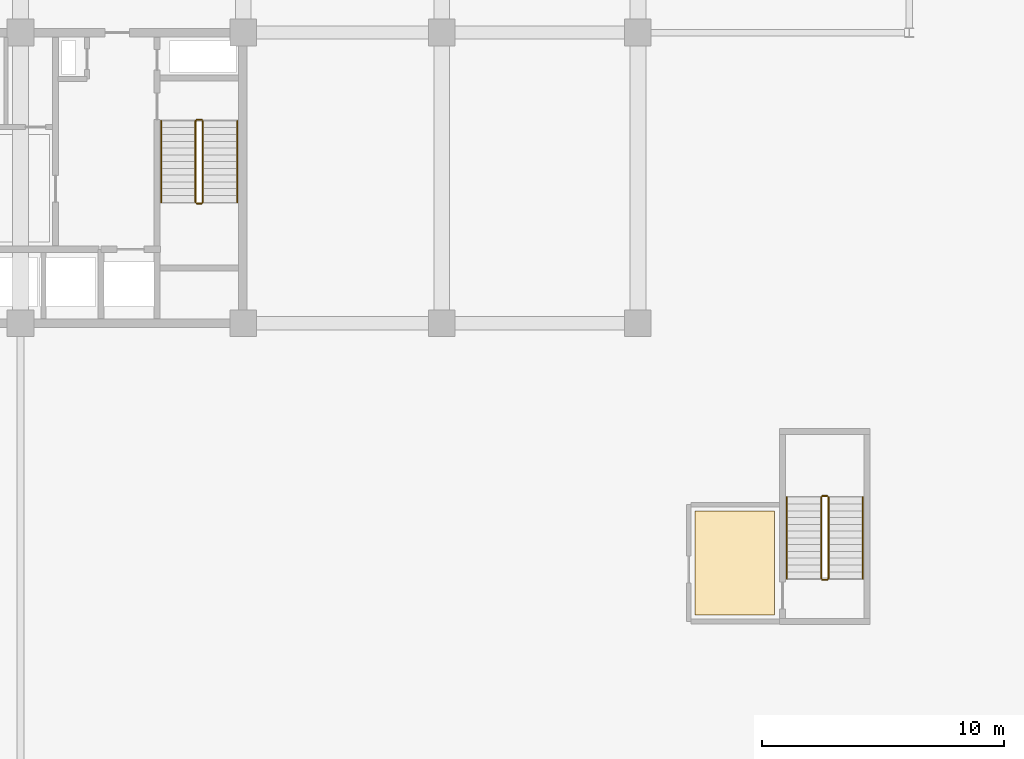
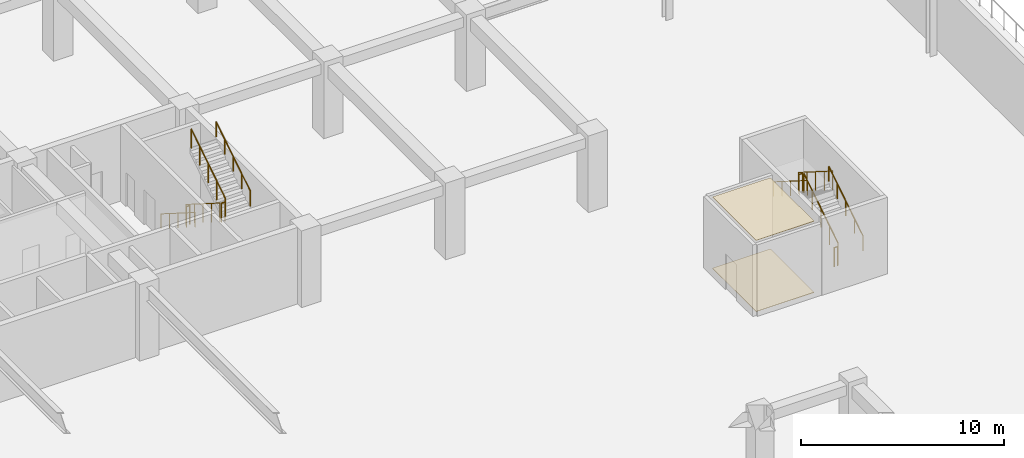
# One storey, part 42 of 45: 12 railings, 2 coverings.
"""IFC4 building model written with IfcOpenShell, lengths in metres."""

from ifc_helpers import new_model, si_unit, direction, frame, origin, origin_2d, place, context, subcontext, project, spatial, polyline, circle, outline, extrude, material, layer, layer_set, type_object, element, save


model = new_model("IFC4")

# Units and contexts
model_context = context("Model", 3, precision=1e-05, world=origin(), true_north=direction((0.0, 1.0)))
body_context = subcontext(model_context, "Body", "Model", "MODEL_VIEW")
ifc_project = project(units=[si_unit("LENGTHUNIT", "METRE"), si_unit("AREAUNIT", "SQUARE_METRE"), si_unit("VOLUMEUNIT", "CUBIC_METRE"), si_unit("PLANEANGLEUNIT", "RADIAN"), si_unit("MASSUNIT", "GRAM", prefix="KILO")], contexts=[model_context])

# Site, building, storey
site_placement = place(None, origin())
site = spatial("IfcSite", under=ifc_project, at=site_placement, CompositionType="ELEMENT")
building_placement = place(site_placement, origin())
building = spatial("IfcBuilding", under=site, at=building_placement, Name="Korimba Cascade Residences", CompositionType="ELEMENT")
storey_placement = place(building_placement, frame((0.0, 0.0, 5.39990234375)))
storey = spatial("IfcBuildingStorey", under=building, at=storey_placement, Name="L01", CompositionType="ELEMENT", Elevation=5.39990234375)

# Coverings
ifc_material_1 = material(Name="Perforated Acoustic Gypsum Ceiling", Category="gypsum")
ifc_layer_1 = layer(ifc_material_1, 0.02490234375)
ifc_layer_set_1 = layer_set([ifc_layer_1], Name="Perforated Acoustic Gypsum Ceiling")
covering_type_1 = type_object("IfcCoveringType", Name="COV-CLG-AC", PredefinedType="CEILING", material=ifc_layer_set_1)
covering_1_placement = place(storey_placement, frame((0.0, 0.0, 4.275146484375)))
element("IfcCovering", 1, at=covering_1_placement, inside=storey, type_object=covering_type_1, Name="L01 Suspended Acoustic Ceiling L01-PLE", PredefinedType="CEILING", context=body_context, shape_type="SweptSolid", body=[
    extrude(outline(polyline([(130.75, 43.14990234375), (134.050048828125, 43.14990234375), (134.050048828125, 47.449951171875), (130.75, 47.449951171875), (130.75, 43.14990234375)])), origin(), (0.0, 0.0, 1.0), 0.02490234375),
])
ifc_material_2 = material(Name="Honed Travertine Stone Flooring", Category="masonry")
ifc_layer_2 = layer(ifc_material_2, 0.02490234375)
ifc_layer_set_2 = layer_set([ifc_layer_2], Name="Honed Travertine Stone Flooring")
covering_type_2 = type_object("IfcCoveringType", Name="COV-FLR-STN", PredefinedType="FLOORING", material=ifc_layer_set_2)
covering_2_placement = place(storey_placement, origin())
element("IfcCovering", 2, at=covering_2_placement, inside=storey, type_object=covering_type_2, Name="L01 Honed Travertine Stone Flooring L01-PLE", PredefinedType="FLOORING", context=body_context, shape_type="SweptSolid", body=[
    extrude(outline(polyline([(130.75, 43.14990234375), (134.050048828125, 43.14990234375), (134.050048828125, 47.449951171875), (130.75, 47.449951171875), (130.75, 43.14990234375)])), origin(), (0.0, 0.0, 1.0), 0.025146484375),
])

# Railings
ifc_material_3 = material(Name="Painted Steel Stairwell Guardrail", Category="steel")
railing_type_1 = type_object("IfcRailingType", Name="RLG-ST-GD1150", PredefinedType="GUARDRAIL", material=ifc_material_3)
railing_1_placement = place(storey_placement, frame((110.1298828125, 63.550048828125, 0.177001953125)))
element("IfcRailing", 3, at=railing_1_placement, inside=storey, type_object=railing_type_1, Name="L01 ST-W2 stair guard 1", PredefinedType="GUARDRAIL", context=body_context, shape_type="SweptSolid", body=[
    extrude(circle(Radius=0.02392578125, at=origin_2d()), frame((0.0, 0.0, 1.1259765625), z_axis=(0.0, -0.845389635667, 0.534150132366), x_axis=(1.0, 0.0, 0.0)), (0.0, 0.0, 1.0), 3.974609375),
    extrude(circle(Radius=0.02099609375, at=origin_2d()), origin(), (0.0, 0.0, 1.0), 1.101806640625),
    extrude(circle(Radius=0.02099609375, at=origin_2d()), frame((0.0, -0.840087890625, 0.53076171875)), (0.0, 0.0, 1.0), 1.101806640625),
    extrude(circle(Radius=0.02099609375, at=origin_2d()), frame((0.0, -1.68017578125, 1.0615234375)), (0.0, 0.0, 1.0), 1.101806640625),
    extrude(circle(Radius=0.02099609375, at=origin_2d()), frame((0.0, -2.52001953125, 1.59228515625)), (0.0, 0.0, 1.0), 1.101806640625),
    extrude(circle(Radius=0.02099609375, at=origin_2d()), frame((0.0, -3.360107421875, 2.123046875)), (0.0, 0.0, 1.0), 1.101806640625),
])
railing_2_placement = place(storey_placement, frame((110.179931640625, 60.139892578125, 2.300048828125)))
element("IfcRailing", 4, at=railing_2_placement, inside=storey, type_object=railing_type_1, Name="L01 ST-W2 stair guard 2", PredefinedType="GUARDRAIL", context=body_context, shape_type="SweptSolid", body=[
    extrude(circle(Radius=0.02392578125, at=origin_2d()), frame((0.0, 0.0, 1.1259765625), z_axis=(1.0, 0.0, 0.0), x_axis=(0.0, 1.0, 0.0)), (0.0, 0.0, 1.0), 0.199951171875),
    extrude(circle(Radius=0.02099609375, at=origin_2d()), origin(), (0.0, 0.0, 1.0), 1.101806640625),
    extrude(circle(Radius=0.02099609375, at=origin_2d()), frame((0.199951171875, 0.0, 0.0)), (0.0, 0.0, 1.0), 1.101806640625),
])
railing_3_placement = place(storey_placement, frame((110.429931640625, 60.18994140625, 2.47705078125)))
element("IfcRailing", 5, at=railing_3_placement, inside=storey, type_object=railing_type_1, Name="L01 ST-W2 stair guard 3", PredefinedType="GUARDRAIL", context=body_context, shape_type="SweptSolid", body=[
    extrude(circle(Radius=0.02392578125, at=origin_2d()), frame((0.0, 0.0, 1.1259765625), z_axis=(0.0, 0.845389635667, 0.534150132366), x_axis=(-1.0, 0.0, 0.0)), (0.0, 0.0, 1.0), 3.974609375),
    extrude(circle(Radius=0.02099609375, at=origin_2d()), origin(), (0.0, 0.0, 1.0), 1.101806640625),
    extrude(circle(Radius=0.02099609375, at=origin_2d()), frame((0.0, 0.840087890625, 0.53076171875)), (0.0, 0.0, 1.0), 1.101806640625),
    extrude(circle(Radius=0.02099609375, at=origin_2d()), frame((0.0, 1.68017578125, 1.0615234375)), (0.0, 0.0, 1.0), 1.101806640625),
    extrude(circle(Radius=0.02099609375, at=origin_2d()), frame((0.0, 2.52001953125, 1.59228515625)), (0.0, 0.0, 1.0), 1.101806640625),
    extrude(circle(Radius=0.02099609375, at=origin_2d()), frame((0.0, 3.360107421875, 2.123046875)), (0.0, 0.0, 1.0), 1.101806640625),
])
railing_4_placement = place(storey_placement, frame((110.179931640625, 63.60009765625, 0.0)))
element("IfcRailing", 6, at=railing_4_placement, inside=storey, type_object=railing_type_1, Name="L01 ST-W2 stair guard 4", PredefinedType="GUARDRAIL", context=body_context, shape_type="SweptSolid", body=[
    extrude(circle(Radius=0.02392578125, at=origin_2d()), frame((0.0, 0.0, 1.1259765625), z_axis=(1.0, 0.0, 0.0), x_axis=(0.0, 1.0, 0.0)), (0.0, 0.0, 1.0), 0.199951171875),
    extrude(circle(Radius=0.02099609375, at=origin_2d()), origin(), (0.0, 0.0, 1.0), 1.101806640625),
    extrude(circle(Radius=0.02099609375, at=origin_2d()), frame((0.199951171875, 0.0, 0.0)), (0.0, 0.0, 1.0), 1.101806640625),
])
railing_5_placement = place(storey_placement, frame((136.27001953125, 44.64990234375, 0.177001953125)))
element("IfcRailing", 7, at=railing_5_placement, inside=storey, type_object=railing_type_1, Name="L01 ST-P2 stair guard 1", PredefinedType="GUARDRAIL", context=body_context, shape_type="SweptSolid", body=[
    extrude(circle(Radius=0.02392578125, at=origin_2d()), frame((0.0, 0.0, 1.1259765625), z_axis=(0.0, 0.845389635667, 0.534150132366), x_axis=(-1.0, 0.0, 0.0)), (0.0, 0.0, 1.0), 3.974609375),
    extrude(circle(Radius=0.02099609375, at=origin_2d()), origin(), (0.0, 0.0, 1.0), 1.101806640625),
    extrude(circle(Radius=0.02099609375, at=origin_2d()), frame((0.0, 0.840087890625, 0.53076171875)), (0.0, 0.0, 1.0), 1.101806640625),
    extrude(circle(Radius=0.02099609375, at=origin_2d()), frame((0.0, 1.68017578125, 1.0615234375)), (0.0, 0.0, 1.0), 1.101806640625),
    extrude(circle(Radius=0.02099609375, at=origin_2d()), frame((0.0, 2.52001953125, 1.59228515625)), (0.0, 0.0, 1.0), 1.101806640625),
    extrude(circle(Radius=0.02099609375, at=origin_2d()), frame((0.0, 3.360107421875, 2.123046875)), (0.0, 0.0, 1.0), 1.101806640625),
])
railing_6_placement = place(storey_placement, frame((136.219970703125, 48.06005859375, 2.300048828125)))
element("IfcRailing", 8, at=railing_6_placement, inside=storey, type_object=railing_type_1, Name="L01 ST-P2 stair guard 2", PredefinedType="GUARDRAIL", context=body_context, shape_type="SweptSolid", body=[
    extrude(circle(Radius=0.02392578125, at=origin_2d()), frame((0.0, 0.0, 1.1259765625), z_axis=(-1.0, 0.0, 0.0), x_axis=(0.0, -1.0, 0.0)), (0.0, 0.0, 1.0), 0.199951171875),
    extrude(circle(Radius=0.02099609375, at=origin_2d()), origin(), (0.0, 0.0, 1.0), 1.101806640625),
    extrude(circle(Radius=0.02099609375, at=origin_2d()), frame((-0.199951171875, 0.0, 0.0)), (0.0, 0.0, 1.0), 1.101806640625),
])
railing_7_placement = place(storey_placement, frame((135.969970703125, 48.010009765625, 2.47705078125)))
element("IfcRailing", 9, at=railing_7_placement, inside=storey, type_object=railing_type_1, Name="L01 ST-P2 stair guard 3", PredefinedType="GUARDRAIL", context=body_context, shape_type="SweptSolid", body=[
    extrude(circle(Radius=0.02392578125, at=origin_2d()), frame((0.0, 0.0, 1.1259765625), z_axis=(0.0, -0.845389635667, 0.534150132366), x_axis=(1.0, 0.0, 0.0)), (0.0, 0.0, 1.0), 3.974609375),
    extrude(circle(Radius=0.02099609375, at=origin_2d()), origin(), (0.0, 0.0, 1.0), 1.101806640625),
    extrude(circle(Radius=0.02099609375, at=origin_2d()), frame((0.0, -0.840087890625, 0.53076171875)), (0.0, 0.0, 1.0), 1.101806640625),
    extrude(circle(Radius=0.02099609375, at=origin_2d()), frame((0.0, -1.68017578125, 1.0615234375)), (0.0, 0.0, 1.0), 1.101806640625),
    extrude(circle(Radius=0.02099609375, at=origin_2d()), frame((0.0, -2.52001953125, 1.59228515625)), (0.0, 0.0, 1.0), 1.101806640625),
    extrude(circle(Radius=0.02099609375, at=origin_2d()), frame((0.0, -3.360107421875, 2.123046875)), (0.0, 0.0, 1.0), 1.101806640625),
])
railing_8_placement = place(storey_placement, frame((136.219970703125, 44.60009765625, 0.0)))
element("IfcRailing", 10, at=railing_8_placement, inside=storey, type_object=railing_type_1, Name="L01 ST-P2 stair guard 4", PredefinedType="GUARDRAIL", context=body_context, shape_type="SweptSolid", body=[
    extrude(circle(Radius=0.02392578125, at=origin_2d()), frame((0.0, 0.0, 1.1259765625), z_axis=(-1.0, 0.0, 0.0), x_axis=(0.0, -1.0, 0.0)), (0.0, 0.0, 1.0), 0.199951171875),
    extrude(circle(Radius=0.02099609375, at=origin_2d()), origin(), (0.0, 0.0, 1.0), 1.101806640625),
    extrude(circle(Radius=0.02099609375, at=origin_2d()), frame((-0.199951171875, 0.0, 0.0)), (0.0, 0.0, 1.0), 1.101806640625),
])
ifc_material_4 = material(Name="Brushed Stainless Steel Handrail", Category="steel")
railing_type_2 = type_object("IfcRailingType", Name="RLG-ST-HR900", PredefinedType="HANDRAIL", material=ifc_material_4)
railing_9_placement = place(storey_placement, frame((108.7099609375, 63.550048828125, 0.357666015625)))
element("IfcRailing", 11, at=railing_9_placement, inside=storey, type_object=railing_type_2, Name="L01 ST-W2 stair handrail 1", PredefinedType="HANDRAIL", context=body_context, shape_type="SweptSolid", body=[
    extrude(circle(Radius=0.02392578125, at=origin_2d()), frame((0.0, 0.0, 0.8759765625), z_axis=(0.0, -0.845389635667, 0.534150132366), x_axis=(1.0, 0.0, 0.0)), (0.0, 0.0, 1.0), 3.974609375),
    extrude(circle(Radius=0.02099609375, at=origin_2d()), origin(), (0.0, 0.0, 1.0), 0.851806640625),
    extrude(circle(Radius=0.02099609375, at=origin_2d()), frame((0.0, -0.840087890625, 0.53076171875)), (0.0, 0.0, 1.0), 0.851806640625),
    extrude(circle(Radius=0.02099609375, at=origin_2d()), frame((0.0, -1.68017578125, 1.0615234375)), (0.0, 0.0, 1.0), 0.851806640625),
    extrude(circle(Radius=0.02099609375, at=origin_2d()), frame((0.0, -2.52001953125, 1.59228515625)), (0.0, 0.0, 1.0), 0.851806640625),
    extrude(circle(Radius=0.02099609375, at=origin_2d()), frame((0.0, -3.360107421875, 2.123046875)), (0.0, 0.0, 1.0), 0.851806640625),
])
for number, where, name in (
    (12, (111.85009765625, 60.18994140625, 2.65771484375), "L01 ST-W2 stair handrail 2"),
    (13, (137.68994140625, 44.64990234375, 0.357666015625), "L01 ST-P2 stair handrail 1"),
):
    element("IfcRailing", number, at=place(storey_placement, frame(where)), inside=storey, type_object=railing_type_2, Name=name, PredefinedType="HANDRAIL", context=body_context, shape_type="SweptSolid", body=[
        extrude(circle(Radius=0.02392578125, at=origin_2d()), frame((0.0, 0.0, 0.8759765625), z_axis=(0.0, 0.845389635667, 0.534150132366), x_axis=(-1.0, 0.0, 0.0)), (0.0, 0.0, 1.0), 3.974609375),
        extrude(circle(Radius=0.02099609375, at=origin_2d()), origin(), (0.0, 0.0, 1.0), 0.851806640625),
        extrude(circle(Radius=0.02099609375, at=origin_2d()), frame((0.0, 0.840087890625, 0.53076171875)), (0.0, 0.0, 1.0), 0.851806640625),
        extrude(circle(Radius=0.02099609375, at=origin_2d()), frame((0.0, 1.68017578125, 1.0615234375)), (0.0, 0.0, 1.0), 0.851806640625),
        extrude(circle(Radius=0.02099609375, at=origin_2d()), frame((0.0, 2.52001953125, 1.59228515625)), (0.0, 0.0, 1.0), 0.851806640625),
        extrude(circle(Radius=0.02099609375, at=origin_2d()), frame((0.0, 3.360107421875, 2.123046875)), (0.0, 0.0, 1.0), 0.851806640625),
    ])
railing_10_placement = place(storey_placement, frame((134.550048828125, 48.010009765625, 2.65771484375)))
element("IfcRailing", 14, at=railing_10_placement, inside=storey, type_object=railing_type_2, Name="L01 ST-P2 stair handrail 2", PredefinedType="HANDRAIL", context=body_context, shape_type="SweptSolid", body=[
    extrude(circle(Radius=0.02392578125, at=origin_2d()), frame((0.0, 0.0, 0.8759765625), z_axis=(0.0, -0.845389635667, 0.534150132366), x_axis=(1.0, 0.0, 0.0)), (0.0, 0.0, 1.0), 3.974609375),
    extrude(circle(Radius=0.02099609375, at=origin_2d()), origin(), (0.0, 0.0, 1.0), 0.851806640625),
    extrude(circle(Radius=0.02099609375, at=origin_2d()), frame((0.0, -0.840087890625, 0.53076171875)), (0.0, 0.0, 1.0), 0.851806640625),
    extrude(circle(Radius=0.02099609375, at=origin_2d()), frame((0.0, -1.68017578125, 1.0615234375)), (0.0, 0.0, 1.0), 0.851806640625),
    extrude(circle(Radius=0.02099609375, at=origin_2d()), frame((0.0, -2.52001953125, 1.59228515625)), (0.0, 0.0, 1.0), 0.851806640625),
    extrude(circle(Radius=0.02099609375, at=origin_2d()), frame((0.0, -3.360107421875, 2.123046875)), (0.0, 0.0, 1.0), 0.851806640625),
])

save(model, "model.ifc")
